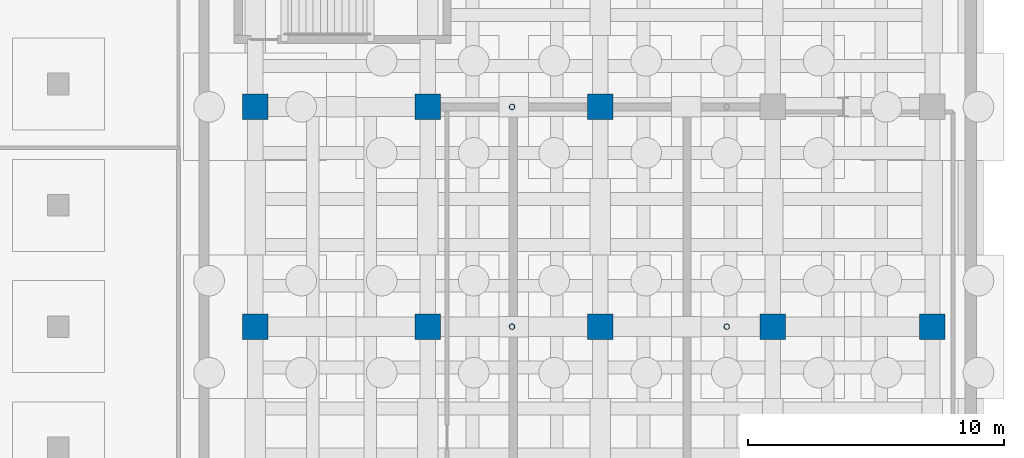
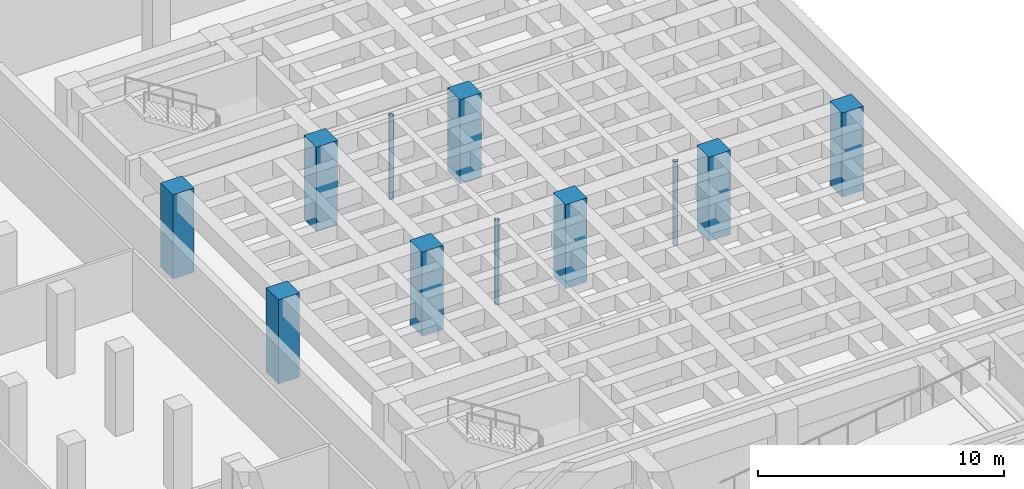
# One storey, part 4 of 15: 11 columns.
"""IFC4 building model written with IfcOpenShell, lengths in metres."""

from ifc_helpers import new_model, si_unit, direction, frame, origin, origin_2d, place, context, subcontext, project, spatial, rectangle, hollow_circle, extrude, material, material_profile, profile_set, type_object, element, save


model = new_model("IFC4")

# Units and contexts
model_context = context("Model", 3, precision=1e-05, world=origin(), true_north=direction((0.0, 1.0)))
body_context = subcontext(model_context, "Body", "Model", "MODEL_VIEW")
ifc_project = project(units=[si_unit("LENGTHUNIT", "METRE"), si_unit("AREAUNIT", "SQUARE_METRE"), si_unit("VOLUMEUNIT", "CUBIC_METRE"), si_unit("PLANEANGLEUNIT", "RADIAN"), si_unit("MASSUNIT", "GRAM", prefix="KILO")], contexts=[model_context])

# Site, building, storey
site_placement = place(None, origin())
site = spatial("IfcSite", under=ifc_project, at=site_placement, CompositionType="ELEMENT")
building_placement = place(site_placement, origin())
building = spatial("IfcBuilding", under=site, at=building_placement, Name="Korentha Bioscience Tower", CompositionType="ELEMENT")
storey_placement = place(building_placement, frame((0.0, 0.0, -9.0)))
storey = spatial("IfcBuildingStorey", under=building, at=storey_placement, Name="B2", CompositionType="ELEMENT", Elevation=-9.0)

# Columns
ifc_material_1 = material(Name="Concrete C50", Category="concrete")
ifc_material_profile_1 = material_profile(ifc_material_1, rectangle(XDim=1.0, YDim=1.0, at=origin_2d()), Name="Concrete C50")
ifc_profile_set_1 = profile_set([ifc_material_profile_1], Name="Concrete C50 (TC-I01)")
column_type_1 = type_object("IfcColumnType", Name="Theatre Interior Column RC 1000x1000", PredefinedType="COLUMN", material=ifc_profile_set_1)
for number, where, z_axis, x_axis, name in (
    (1, (66.5, 27.0, 0.0), (0.0, 0.0, 1.0), (1.0, 0.0, 0.0), "B2 Theatre Foundation Column 1-3"),
    (2, (66.5, 35.60009765625, 0.0), (0.0, 0.0, 1.0), (1.0, 0.0, 0.0), "B2 Theatre Foundation Column 1-4"),
    (3, (73.25, 27.0, 0.0), (0.0, 0.0, 1.0), (1.0, 0.0, 0.0), "B2 Theatre Foundation Column 2-3"),
    (4, (73.25, 35.60009765625, 0.0), (0.0, 0.0, 1.0), (1.0, 0.0, 0.0), "B2 Theatre Foundation Column 2-4"),
    (5, (80.0, 27.0, 0.0), (0.0, 0.0, 1.0), (1.0, 0.0, 0.0), "B2 Theatre Foundation Column 3-3"),
    (6, (80.0, 35.60009765625, 0.0), (0.0, 0.0, 1.0), (1.0, 0.0, 0.0), "B2 Theatre Foundation Column 3-4"),
    (7, (86.75, 27.0, 0.0), (0.0, 0.0, 1.0), (1.0, 0.0, 0.0), "B2 Theatre Foundation Column 4-3"),
    (8, (93.0, 27.0, 0.0), (0.0, 0.0, 1.0), (1.0, 0.0, 0.0), "B2 Theatre Foundation Column 5-3"),
):
    element("IfcColumn", number, at=place(storey_placement, frame(where, z_axis=z_axis, x_axis=x_axis)), inside=storey, type_object=column_type_1, Name=name, PredefinedType="COLUMN", context=body_context, shape_type="SweptSolid", body=[
        extrude(rectangle(XDim=1.0, YDim=1.0, at=origin_2d()), origin(), (0.0, 0.0, 1.0), 4.179931640625),
    ])
ifc_material_2 = material(Name="Steel S355", Category="steel")
ifc_material_profile_2 = material_profile(ifc_material_2, hollow_circle(Radius=0.109619140625, WallThickness=0.012451171875, at=origin_2d()), Name="Steel S355")
ifc_profile_set_2 = profile_set([ifc_material_profile_2], Name="Steel S355 (TC-P219)")
column_type_2 = type_object("IfcColumnType", Name="Theatre Tier Support Post CHS 219.1x12.5", PredefinedType="COLUMN", material=ifc_profile_set_2)
for number, where, z_axis, x_axis, name in (
    (9, (84.949951171875, 27.0, 0.0), (0.0, 0.0, 1.0), (1.0, 0.0, 0.0), "B2 Auditorium Raker Support Column E-27"),
    (10, (76.550048828125, 27.0, 0.0), (0.0, 0.0, 1.0), (1.0, 0.0, 0.0), "B2 Auditorium Raker Support Column W-27"),
    (11, (76.550048828125, 35.60009765625, 0.0), (0.0, 0.0, 1.0), (1.0, 0.0, 0.0), "B2 Auditorium Raker Support Column W-35"),
):
    element("IfcColumn", number, at=place(storey_placement, frame(where, z_axis=z_axis, x_axis=x_axis)), inside=storey, type_object=column_type_2, Name=name, PredefinedType="COLUMN", context=body_context, shape_type="SweptSolid", body=[
        extrude(hollow_circle(Radius=0.109619140625, WallThickness=0.012451171875, at=origin_2d()), origin(), (0.0, 0.0, 1.0), 4.179931640625),
    ])

save(model, "model.ifc")
